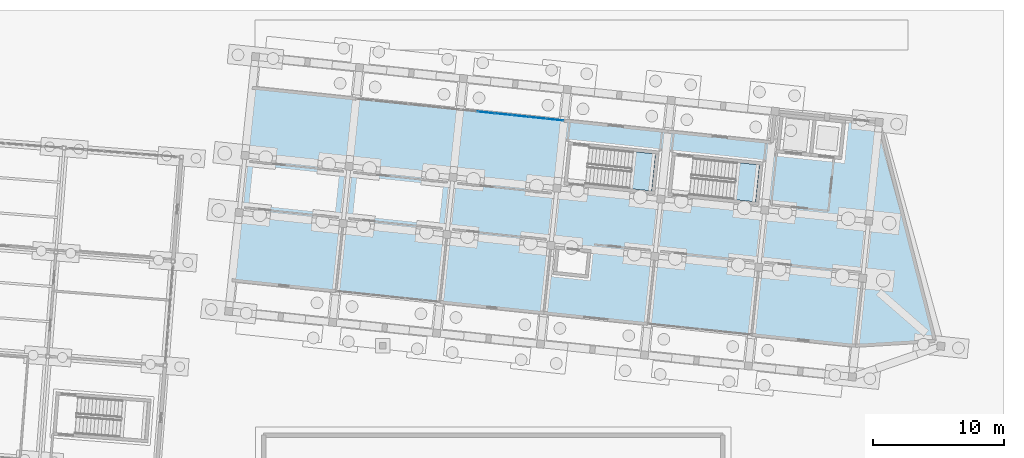
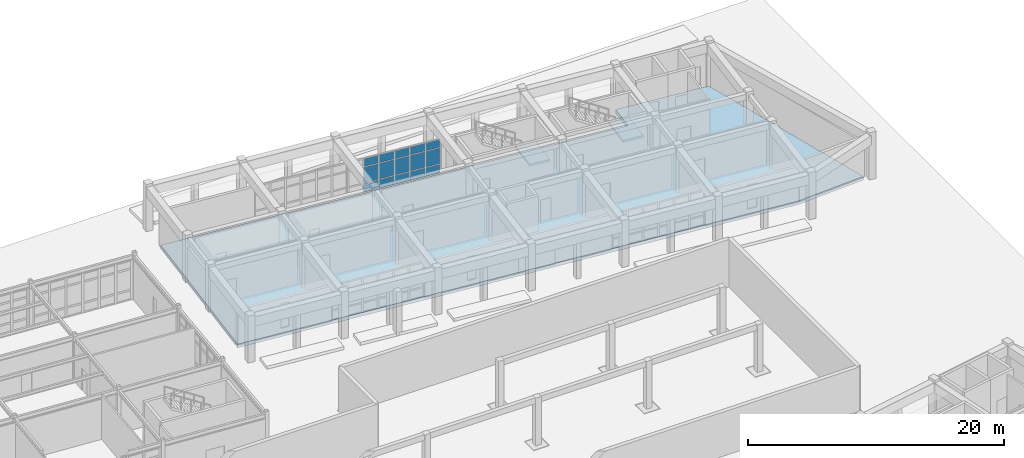
# One storey, part 114 of 154: 15 plates, 3 slabs, 3 elements without a shape of their own.
"""IFC4 building model written with IfcOpenShell, lengths in metres."""

from ifc_helpers import new_model, si_unit, direction, frame, origin, origin_2d, place, context, subcontext, project, spatial, polyline, rectangle, outline, extrude, material, layer, layer_set, type_object, element, aggregate, save


model = new_model("IFC4")

# Units and contexts
model_context = context("Model", 3, precision=1e-05, world=origin(), true_north=direction((0.0, 1.0)))
body_context = subcontext(model_context, "Body", "Model", "MODEL_VIEW")
ifc_project = project(units=[si_unit("LENGTHUNIT", "METRE"), si_unit("AREAUNIT", "SQUARE_METRE"), si_unit("VOLUMEUNIT", "CUBIC_METRE"), si_unit("PLANEANGLEUNIT", "RADIAN"), si_unit("MASSUNIT", "GRAM", prefix="KILO")], contexts=[model_context])

# Site, building, storey
site_placement = place(None, origin())
site = spatial("IfcSite", under=ifc_project, at=site_placement, CompositionType="ELEMENT")
building_placement = place(site_placement, origin())
building = spatial("IfcBuilding", under=site, at=building_placement, Name="Kestramere Prow Commons", CompositionType="ELEMENT")
storey_placement = place(building_placement, origin())
storey = spatial("IfcBuildingStorey", under=building, at=storey_placement, Name="L00", CompositionType="ELEMENT", Elevation=0.0)

# Curtain wall, plates
ifc_material_1 = material(Name="Anodised Aluminium and Low-E Glass", Category="aluminium")
curtain_wall_type = type_object("IfcCurtainWallType", Name="CW-05 Glazed Curtain Wall 7980x3350", PredefinedType="USERDEFINED", material=ifc_material_1)
curtain_wall_placement = place(storey_placement, origin())
curtain_wall = element("IfcCurtainWall", 1, at=curtain_wall_placement, inside=storey, type_object=curtain_wall_type, Name="Block B L00 North Courtyard Storefront 3", ObjectType="GLAZED CURTAIN WALL", PredefinedType="USERDEFINED")
ifc_material_2 = material(Name="Low-E Laminated Double Glazing", Category="glass")
ifc_layer_1 = layer(ifc_material_2, 0.028076171875)
ifc_layer_set_1 = layer_set([ifc_layer_1], Name="Low-E Laminated Double Glazing")
plate_type = type_object("IfcPlateType", Name="CW-PNL-28", PredefinedType="CURTAIN_PANEL", material=ifc_layer_set_1)
plate_1_placement = place(storey_placement, frame((129.704345703125, 110.023681640625, 0.06494140625), z_axis=(0.0, 0.0, 1.0), x_axis=(0.994521897528, -0.104528442716, 0.0)))
plate_1 = element("IfcPlate", 2, at=plate_1_placement, type_object=plate_type, Name="CW-05 panel 2.1", PredefinedType="CURTAIN_PANEL", context=body_context, shape_type="SweptSolid", body=[
    extrude(rectangle(XDim=1.264892578125, YDim=0.028076171875, at=origin_2d()), origin(), (0.0, 0.0, 1.0), 0.8525390625),
])
plate_2_placement = place(storey_placement, frame((129.704345703125, 110.023681640625, 0.982421875), z_axis=(0.0, 0.0, 1.0), x_axis=(0.994521897528, -0.104528442716, 0.0)))
plate_2 = element("IfcPlate", 3, at=plate_2_placement, type_object=plate_type, Name="CW-05 panel 2.2", PredefinedType="CURTAIN_PANEL", context=body_context, shape_type="SweptSolid", body=[
    extrude(rectangle(XDim=1.264892578125, YDim=0.028076171875, at=origin_2d()), origin(), (0.0, 0.0, 1.0), 1.485107421875),
])
plate_3_placement = place(storey_placement, frame((129.704345703125, 110.023681640625, 2.532470703125), z_axis=(0.0, 0.0, 1.0), x_axis=(0.994521897528, -0.104528442716, 0.0)))
plate_3 = element("IfcPlate", 4, at=plate_3_placement, type_object=plate_type, Name="CW-05 panel 2.3", PredefinedType="CURTAIN_PANEL", context=body_context, shape_type="SweptSolid", body=[
    extrude(rectangle(XDim=1.264892578125, YDim=0.028076171875, at=origin_2d()), origin(), (0.0, 0.0, 1.0), 0.75244140625),
])
plate_4_placement = place(storey_placement, frame((131.02685546875, 109.884765625, 0.06494140625), z_axis=(0.0, 0.0, 1.0), x_axis=(0.994521897528, -0.104528442716, 0.0)))
plate_4 = element("IfcPlate", 5, at=plate_4_placement, type_object=plate_type, Name="CW-05 panel 3.1", PredefinedType="CURTAIN_PANEL", context=body_context, shape_type="SweptSolid", body=[
    extrude(rectangle(XDim=1.264892578125, YDim=0.028076171875, at=origin_2d()), origin(), (0.0, 0.0, 1.0), 0.8525390625),
])
plate_5_placement = place(storey_placement, frame((131.02685546875, 109.884765625, 0.982421875), z_axis=(0.0, 0.0, 1.0), x_axis=(0.994521897528, -0.104528442716, 0.0)))
plate_5 = element("IfcPlate", 6, at=plate_5_placement, type_object=plate_type, Name="CW-05 panel 3.2", PredefinedType="CURTAIN_PANEL", context=body_context, shape_type="SweptSolid", body=[
    extrude(rectangle(XDim=1.264892578125, YDim=0.028076171875, at=origin_2d()), origin(), (0.0, 0.0, 1.0), 1.485107421875),
])
plate_6_placement = place(storey_placement, frame((131.02685546875, 109.884765625, 2.532470703125), z_axis=(0.0, 0.0, 1.0), x_axis=(0.994521897528, -0.104528442716, 0.0)))
plate_6 = element("IfcPlate", 7, at=plate_6_placement, type_object=plate_type, Name="CW-05 panel 3.3", PredefinedType="CURTAIN_PANEL", context=body_context, shape_type="SweptSolid", body=[
    extrude(rectangle(XDim=1.264892578125, YDim=0.028076171875, at=origin_2d()), origin(), (0.0, 0.0, 1.0), 0.75244140625),
])
plate_7_placement = place(storey_placement, frame((132.349609375, 109.74560546875, 0.06494140625), z_axis=(0.0, 0.0, 1.0), x_axis=(0.994521897528, -0.104528442716, 0.0)))
plate_7 = element("IfcPlate", 8, at=plate_7_placement, type_object=plate_type, Name="CW-05 panel 4.1", PredefinedType="CURTAIN_PANEL", context=body_context, shape_type="SweptSolid", body=[
    extrude(rectangle(XDim=1.264892578125, YDim=0.028076171875, at=origin_2d()), origin(), (0.0, 0.0, 1.0), 0.8525390625),
])
plate_8_placement = place(storey_placement, frame((132.349609375, 109.74560546875, 0.982421875), z_axis=(0.0, 0.0, 1.0), x_axis=(0.994521897528, -0.104528442716, 0.0)))
plate_8 = element("IfcPlate", 9, at=plate_8_placement, type_object=plate_type, Name="CW-05 panel 4.2", PredefinedType="CURTAIN_PANEL", context=body_context, shape_type="SweptSolid", body=[
    extrude(rectangle(XDim=1.264892578125, YDim=0.028076171875, at=origin_2d()), origin(), (0.0, 0.0, 1.0), 1.485107421875),
])
plate_9_placement = place(storey_placement, frame((132.349609375, 109.74560546875, 2.532470703125), z_axis=(0.0, 0.0, 1.0), x_axis=(0.994521897528, -0.104528442716, 0.0)))
plate_9 = element("IfcPlate", 10, at=plate_9_placement, type_object=plate_type, Name="CW-05 panel 4.3", PredefinedType="CURTAIN_PANEL", context=body_context, shape_type="SweptSolid", body=[
    extrude(rectangle(XDim=1.264892578125, YDim=0.028076171875, at=origin_2d()), origin(), (0.0, 0.0, 1.0), 0.75244140625),
])
plate_10_placement = place(storey_placement, frame((133.67236328125, 109.606689453125, 0.06494140625), z_axis=(0.0, 0.0, 1.0), x_axis=(0.994521897528, -0.104528442716, 0.0)))
plate_10 = element("IfcPlate", 11, at=plate_10_placement, type_object=plate_type, Name="CW-05 panel 5.1", PredefinedType="CURTAIN_PANEL", context=body_context, shape_type="SweptSolid", body=[
    extrude(rectangle(XDim=1.264892578125, YDim=0.028076171875, at=origin_2d()), origin(), (0.0, 0.0, 1.0), 0.8525390625),
])
plate_11_placement = place(storey_placement, frame((133.67236328125, 109.606689453125, 0.982421875), z_axis=(0.0, 0.0, 1.0), x_axis=(0.994521897528, -0.104528442716, 0.0)))
plate_11 = element("IfcPlate", 12, at=plate_11_placement, type_object=plate_type, Name="CW-05 panel 5.2", PredefinedType="CURTAIN_PANEL", context=body_context, shape_type="SweptSolid", body=[
    extrude(rectangle(XDim=1.264892578125, YDim=0.028076171875, at=origin_2d()), origin(), (0.0, 0.0, 1.0), 1.485107421875),
])
plate_12_placement = place(storey_placement, frame((133.67236328125, 109.606689453125, 2.532470703125), z_axis=(0.0, 0.0, 1.0), x_axis=(0.994521897528, -0.104528442716, 0.0)))
plate_12 = element("IfcPlate", 13, at=plate_12_placement, type_object=plate_type, Name="CW-05 panel 5.3", PredefinedType="CURTAIN_PANEL", context=body_context, shape_type="SweptSolid", body=[
    extrude(rectangle(XDim=1.264892578125, YDim=0.028076171875, at=origin_2d()), origin(), (0.0, 0.0, 1.0), 0.75244140625),
])
plate_13_placement = place(storey_placement, frame((134.97900390625, 109.46923828125, 0.06494140625), z_axis=(0.0, 0.0, 1.0), x_axis=(0.994521897528, -0.104528442716, 0.0)))
plate_13 = element("IfcPlate", 14, at=plate_13_placement, type_object=plate_type, Name="CW-05 panel 6.1", PredefinedType="CURTAIN_PANEL", context=body_context, shape_type="SweptSolid", body=[
    extrude(rectangle(XDim=1.232421875, YDim=0.028076171875, at=origin_2d()), origin(), (0.0, 0.0, 1.0), 0.8525390625),
])
plate_14_placement = place(storey_placement, frame((134.97900390625, 109.46923828125, 0.982421875), z_axis=(0.0, 0.0, 1.0), x_axis=(0.994521897528, -0.104528442716, 0.0)))
plate_14 = element("IfcPlate", 15, at=plate_14_placement, type_object=plate_type, Name="CW-05 panel 6.2", PredefinedType="CURTAIN_PANEL", context=body_context, shape_type="SweptSolid", body=[
    extrude(rectangle(XDim=1.232421875, YDim=0.028076171875, at=origin_2d()), origin(), (0.0, 0.0, 1.0), 1.485107421875),
])
plate_15_placement = place(storey_placement, frame((134.97900390625, 109.46923828125, 2.532470703125), z_axis=(0.0, 0.0, 1.0), x_axis=(0.994521897528, -0.104528442716, 0.0)))
plate_15 = element("IfcPlate", 16, at=plate_15_placement, type_object=plate_type, Name="CW-05 panel 6.3", PredefinedType="CURTAIN_PANEL", context=body_context, shape_type="SweptSolid", body=[
    extrude(rectangle(XDim=1.232421875, YDim=0.028076171875, at=origin_2d()), origin(), (0.0, 0.0, 1.0), 0.75244140625),
])
aggregate(curtain_wall, [plate_1, plate_2, plate_3, plate_4, plate_5, plate_6, plate_7, plate_8, plate_9, plate_10, plate_11, plate_12, plate_13, plate_14, plate_15])

# Slab
ifc_material_3 = material(Name="Concrete C35/45", Category="concrete")
ifc_layer_2 = layer(ifc_material_3, 0.35009765625)
ifc_layer_set_2 = layer_set([ifc_layer_2], Name="Concrete C35/45")
slab_type_1 = type_object("IfcSlabType", Name="SL-BASE-350", PredefinedType="BASESLAB", material=ifc_layer_set_2)
slab_1_placement = place(storey_placement, frame((0.0, 0.0, -0.35009765625)))
element("IfcSlab", 17, at=slab_1_placement, inside=storey, type_object=slab_type_1, Name="Block B L00 Ground Floor Slab", PredefinedType="BASESLAB", context=body_context, shape_type="SweptSolid", body=[
    extrude(outline(polyline([(110.2509765625, 97.186767578125), (157.988037109375, 92.16943359375), (164.0595703125, 92.536865234375), (159.785888671875, 109.275146484375), (151.82958984375, 110.111572265625), (151.578857421875, 107.724609375), (111.7978515625, 111.90576171875), (110.2509765625, 97.186767578125)])), origin(), (0.0, 0.0, 1.0), 0.35009765625),
])

# Stair, slab
ifc_material_4 = material(Name="Concrete C40/50", Category="concrete")
stair_type = type_object("IfcStairType", Name="ST-DOG-1350", PredefinedType="HALF_TURN_STAIR", material=ifc_material_4)
stair_1_placement = place(storey_placement, origin())
stair_1 = element("IfcStair", 18, at=stair_1_placement, inside=storey, type_object=stair_type, Name="L00 Block B Exit Stair 1", PredefinedType="HALF_TURN_STAIR")
ifc_layer_3 = layer(ifc_material_4, 0.199951171875)
ifc_layer_set_3 = layer_set([ifc_layer_3], Name="Concrete C40/50")
slab_type_2 = type_object("IfcSlabType", Name="SL-ST-LAND-200", PredefinedType="LANDING", material=ifc_layer_set_3)
slab_2_placement = place(storey_placement, frame((0.0, 0.0, 2.050048828125)))
slab_2 = element("IfcSlab", 19, at=slab_2_placement, type_object=slab_type_2, Name="ST-B1 landing 1", PredefinedType="LANDING", context=body_context, shape_type="SweptSolid", body=[
    extrude(outline(polyline([(140.66015625, 104.196533203125), (142.390625, 104.0146484375), (142.6884765625, 106.84912109375), (140.9580078125, 107.031005859375), (140.66015625, 104.196533203125)])), origin(), (0.0, 0.0, 1.0), 0.199951171875),
])
aggregate(stair_1, [slab_2])

stair_2_placement = place(storey_placement, origin())
stair_2 = element("IfcStair", 20, at=stair_2_placement, inside=storey, type_object=stair_type, Name="L00 Block B Exit Stair 2", PredefinedType="HALF_TURN_STAIR")
slab_3_placement = place(storey_placement, frame((0.0, 0.0, 2.050048828125)))
slab_3 = element("IfcSlab", 21, at=slab_3_placement, type_object=slab_type_2, Name="ST-B2 landing 1", PredefinedType="LANDING", context=body_context, shape_type="SweptSolid", body=[
    extrude(outline(polyline([(148.616455078125, 103.3603515625), (150.346923828125, 103.178466796875), (150.644775390625, 106.012939453125), (148.914306640625, 106.19482421875), (148.616455078125, 103.3603515625)])), origin(), (0.0, 0.0, 1.0), 0.199951171875),
])
aggregate(stair_2, [slab_3])

save(model, "model.ifc")
